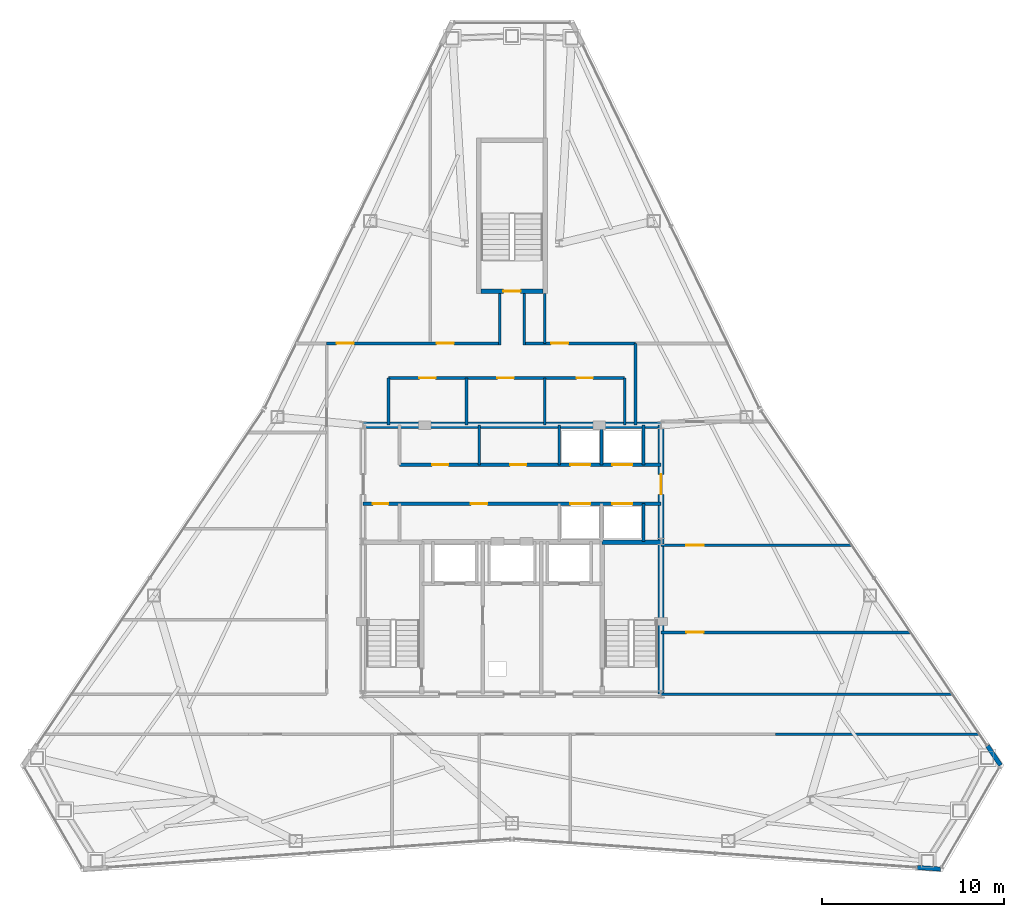
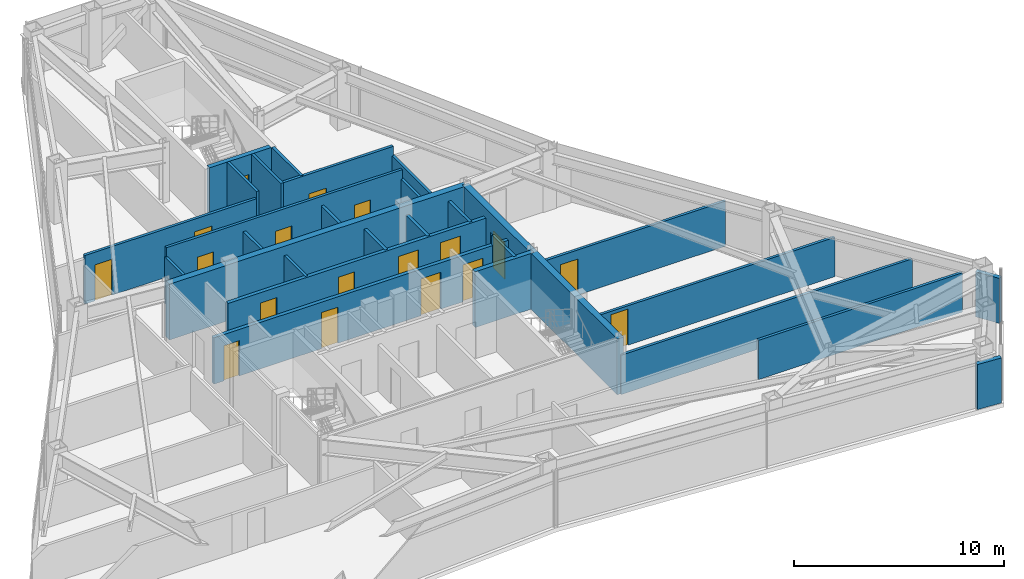
# One storey, part 10 of 12: 28 walls, 18 doors, 18 openings.
"""IFC4 building model written with IfcOpenShell, lengths in metres."""

from ifc_helpers import new_model, si_unit, direction, frame, frame_2d, origin, place, context, subcontext, project, spatial, rectangle, extrude, material, layer, layer_set, type_object, element, fill, save


model = new_model("IFC4")

# Units and contexts
model_context = context("Model", 3, precision=1e-05, world=origin(), true_north=direction((0.0, 1.0)))
body_context = subcontext(model_context, "Body", "Model", "MODEL_VIEW")
ifc_project = project(units=[si_unit("LENGTHUNIT", "METRE"), si_unit("AREAUNIT", "SQUARE_METRE"), si_unit("VOLUMEUNIT", "CUBIC_METRE"), si_unit("PLANEANGLEUNIT", "RADIAN"), si_unit("MASSUNIT", "GRAM", prefix="KILO")], contexts=[model_context])

# Site, building, storey
site_placement = place(None, origin())
site = spatial("IfcSite", under=ifc_project, at=site_placement, CompositionType="ELEMENT")
building_placement = place(site_placement, origin())
building = spatial("IfcBuilding", under=site, at=building_placement, Name="Varakhsha Concourse Tower", CompositionType="ELEMENT")
storey_placement = place(building_placement, frame((0.0, 0.0, 208.39990234375)))
storey = spatial("IfcBuildingStorey", under=building, at=storey_placement, Name="L59", CompositionType="ELEMENT", Elevation=208.39990234375)

# Wall
ifc_material_1 = material(Name="Concrete fc 65 MPa", Category="concrete")
ifc_layer_1 = layer(ifc_material_1, 0.35009765625, Name="WL-CORE-350")
ifc_layer_set_1 = layer_set([ifc_layer_1], Name="Concrete fc 65 MPa")
wall_type_1 = type_object("IfcWallType", Name="WL-CORE-350", PredefinedType="SHEAR", material=ifc_layer_set_1)
wall_1_placement = place(storey_placement, frame((31.800048828125, 31.199951171875, 0.0), z_axis=(0.0, 0.0, 1.0), x_axis=(1.0, 0.0, 0.0)))
element("IfcWall", 1, at=wall_1_placement, inside=storey, type_object=wall_type_1, Name="L59 Wall CWALL-N-L59", PredefinedType="SHEAR", context=body_context, shape_type="SweptSolid", body=[
    extrude(rectangle(XDim=16.39990234375, YDim=0.35009765625, at=frame_2d((8.199951171875, 0.0))), origin(), (0.0, 0.0, 1.0), 3.25),
])

# Wall, opening, door
wall_2_placement = place(storey_placement, frame((48.199951171875, 16.39990234375, 0.0), z_axis=(0.0, 0.0, 1.0), x_axis=(0.0, 1.0, 0.0)))
wall_2 = element("IfcWall", 2, at=wall_2_placement, inside=storey, type_object=wall_type_1, Name="L59 Wall CWALL-E-L59", PredefinedType="SHEAR", context=body_context, shape_type="SweptSolid", body=[
    extrude(rectangle(XDim=14.800048828125, YDim=0.35009765625, at=frame_2d((7.39990234375, 0.0))), origin(), (0.0, 0.0, 1.0), 3.25),
])
opening_1_placement = place(wall_2_placement, frame((11.0, 0.0, 0.0)))
opening_1 = element("IfcOpeningElement", 3, at=opening_1_placement, cuts=wall_2, Name="Opening DL-01", PredefinedType="OPENING", context=body_context, shape_type="SweptSolid", body=[
    extrude(rectangle(XDim=1.10009765625, YDim=2.14990234375, at=frame_2d((0.550048828125, 1.074951171875))), frame((0.0, 0.18505859375, 0.0), z_axis=(0.0, -1.0, 0.0), x_axis=(1.0, 0.0, 0.0)), (0.0, 0.0, 1.0), 0.3701171875),
])
ifc_material_2 = material(Name="Anodised Bronze Architectural Aluminium AA 6063-T6", Category="aluminium")
door_type_1 = type_object("IfcDoorType", Name="DR-LOB-1100", OperationType="NOTDEFINED", PredefinedType="DOOR", material=ifc_material_2)
door_1_placement = place(opening_1_placement, origin())
door_1 = element("IfcDoor", 4, at=door_1_placement, inside=storey, type_object=door_type_1, Name="L59 Lift Lobby East Concourse Door", OperationType="SINGLE_SWING_RIGHT", OverallHeight=2.14990234375, OverallWidth=1.10009765625, PredefinedType="DOOR", context=body_context, shape_type="SweptSolid", body=[
    extrude(rectangle(XDim=1.10009765625, YDim=2.14990234375, at=frame_2d((0.550048828125, 1.074951171875))), frame((0.0, 0.02490234375, 0.0), z_axis=(0.0, -1.0, 0.0), x_axis=(1.0, 0.0, 0.0)), (0.0, 0.0, 1.0), 0.050048828125),
])
fill(opening_1, door_1)

# Walls
ifc_material_3 = material(Name="Concrete fc 45 MPa", Category="concrete")
ifc_layer_2 = layer(ifc_material_3, 0.239990234375, Name="WL-EXT-CRN-240")
ifc_layer_set_2 = layer_set([ifc_layer_2], Name="Concrete fc 45 MPa")
wall_type_2 = type_object("IfcWallType", Name="WL-EXT-CRN-240", PredefinedType="SHEAR", material=ifc_layer_set_2)
wall_3_placement = place(storey_placement, frame((62.2998046875, 6.864501953125, 0.0), z_axis=(0.0, 0.0, 1.0), x_axis=(0.997482703795, -0.070910194111, 0.0)))
element("IfcWall", 5, at=wall_3_placement, inside=storey, type_object=wall_type_2, Name="L59 Wind-Corner Shoulder Wall F6", PredefinedType="SHEAR", context=body_context, shape_type="SweptSolid", body=[
    extrude(rectangle(XDim=1.28759765625, YDim=0.239990234375, at=frame_2d((0.643798828125, 0.0))), origin(), (0.0, 0.0, 1.0), 2.623046875),
])
wall_4_placement = place(storey_placement, frame((66.884033203125, 12.489013671875, 0.0), z_axis=(0.0, 0.0, 1.0), x_axis=(-0.559984079849, 0.828503367715, 0.0)))
element("IfcWall", 6, at=wall_4_placement, inside=storey, type_object=wall_type_2, Name="L59 Wind-Corner Shoulder Wall F8", PredefinedType="SHEAR", context=body_context, shape_type="SweptSolid", body=[
    extrude(rectangle(XDim=1.287353515625, YDim=0.239990234375, at=frame_2d((0.6435546875, 0.0))), origin(), (0.0, 0.0, 1.0), 2.623046875),
])
ifc_material_4 = material(Name="Fire-Rated Type X Gypsum Partition Assembly", Category="gypsum")
ifc_layer_3 = layer(ifc_material_4, 0.14990234375, Name="WL-PART-150")
ifc_layer_set_3 = layer_set([ifc_layer_3], Name="Fire-Rated Type X Gypsum Partition Assembly")
wall_type_3 = type_object("IfcWallType", Name="WL-PART-150", PredefinedType="PARTITIONING", material=ifc_layer_set_3)
wall_5_placement = place(storey_placement, frame((38.199951171875, 29.02001953125, 0.0), z_axis=(0.0, 0.0, 1.0), x_axis=(0.0, 1.0, 0.0)))
element("IfcWall", 7, at=wall_5_placement, inside=storey, type_object=wall_type_3, Name="L59 Wall P1F-D1-L59", PredefinedType="PARTITIONING", context=body_context, shape_type="SweptSolid", body=[
    extrude(rectangle(XDim=2.179931640625, YDim=0.14990234375, at=frame_2d((1.08984375, 0.0))), origin(), (0.0, 0.0, 1.0), 2.705078125),
])

# Wall, openings, doors
wall_6_placement = place(storey_placement, frame((33.199951171875, 33.800048828125, 0.0), z_axis=(0.0, 0.0, 1.0), x_axis=(1.0, 0.0, 0.0)))
wall_6 = element("IfcWall", 8, at=wall_6_placement, inside=storey, type_object=wall_type_3, Name="L59 Wall NBOH-N-L59", PredefinedType="PARTITIONING", context=body_context, shape_type="SweptSolid", body=[
    extrude(rectangle(XDim=13.0, YDim=0.14990234375, at=frame_2d((6.5, 0.0))), origin(), (0.0, 0.0, 1.0), 3.25),
])
opening_2_placement = place(wall_6_placement, frame((1.699951171875, 0.0, 0.0)))
opening_2 = element("IfcOpeningElement", 9, at=opening_2_placement, cuts=wall_6, Name="Opening DF-06", PredefinedType="OPENING", context=body_context, shape_type="SweptSolid", body=[
    extrude(rectangle(XDim=0.89990234375, YDim=2.10009765625, at=frame_2d((0.449951171875, 1.050048828125))), frame((0.0, 0.0849609375, 0.0), z_axis=(0.0, -1.0, 0.0), x_axis=(1.0, 0.0, 0.0)), (0.0, 0.0, 1.0), 0.169921875),
])
opening_3_placement = place(wall_6_placement, frame((6.0, 0.0, 0.0)))
opening_3 = element("IfcOpeningElement", 10, at=opening_3_placement, cuts=wall_6, Name="Opening DF-06", PredefinedType="OPENING", context=body_context, shape_type="SweptSolid", body=[
    extrude(rectangle(XDim=0.89990234375, YDim=2.10009765625, at=frame_2d((0.449951171875, 1.050048828125))), frame((0.0, 0.0849609375, 0.0), z_axis=(0.0, -1.0, 0.0), x_axis=(1.0, 0.0, 0.0)), (0.0, 0.0, 1.0), 0.169921875),
])
opening_4_placement = place(wall_6_placement, frame((10.35009765625, 0.0, 0.0)))
opening_4 = element("IfcOpeningElement", 11, at=opening_4_placement, cuts=wall_6, Name="Opening DF-06", PredefinedType="OPENING", context=body_context, shape_type="SweptSolid", body=[
    extrude(rectangle(XDim=0.89990234375, YDim=2.10009765625, at=frame_2d((0.449951171875, 1.050048828125))), frame((0.0, 0.0849609375, 0.0), z_axis=(0.0, -1.0, 0.0), x_axis=(1.0, 0.0, 0.0)), (0.0, 0.0, 1.0), 0.169921875),
])
ifc_material_5 = material(Name="Hollow Galvanised Steel Fire Door Assembly", Category="steel")
door_type_2 = type_object("IfcDoorType", Name="DR-FD60-900", OperationType="NOTDEFINED", PredefinedType="DOOR", material=ifc_material_5)
door_2_placement = place(opening_2_placement, origin())
door_2 = element("IfcDoor", 12, at=door_2_placement, inside=storey, type_object=door_type_2, Name="L59 Men Restroom WC Door", OperationType="SINGLE_SWING_LEFT", OverallHeight=2.10009765625, OverallWidth=0.89990234375, PredefinedType="DOOR", context=body_context, shape_type="SweptSolid", body=[
    extrude(rectangle(XDim=0.89990234375, YDim=2.10009765625, at=frame_2d((0.449951171875, 1.050048828125))), frame((0.0, 0.02490234375, 0.0), z_axis=(0.0, -1.0, 0.0), x_axis=(1.0, 0.0, 0.0)), (0.0, 0.0, 1.0), 0.050048828125),
])
fill(opening_2, door_2)
door_3_placement = place(opening_3_placement, origin())
door_3 = element("IfcDoor", 13, at=door_3_placement, inside=storey, type_object=door_type_2, Name="L59 Women Restroom WC Door", OperationType="SINGLE_SWING_RIGHT", OverallHeight=2.10009765625, OverallWidth=0.89990234375, PredefinedType="DOOR", context=body_context, shape_type="SweptSolid", body=[
    extrude(rectangle(XDim=0.89990234375, YDim=2.10009765625, at=frame_2d((0.449951171875, 1.050048828125))), frame((0.0, 0.02490234375, 0.0), z_axis=(0.0, -1.0, 0.0), x_axis=(1.0, 0.0, 0.0)), (0.0, 0.0, 1.0), 0.050048828125),
])
fill(opening_3, door_3)
door_4_placement = place(opening_4_placement, origin())
door_4 = element("IfcDoor", 14, at=door_4_placement, inside=storey, type_object=door_type_2, Name="L59 Accessible WC Door", OperationType="SINGLE_SWING_LEFT", OverallHeight=2.10009765625, OverallWidth=0.89990234375, PredefinedType="DOOR", context=body_context, shape_type="SweptSolid", body=[
    extrude(rectangle(XDim=0.89990234375, YDim=2.10009765625, at=frame_2d((0.449951171875, 1.050048828125))), frame((0.0, 0.02490234375, 0.0), z_axis=(0.0, -1.0, 0.0), x_axis=(1.0, 0.0, 0.0)), (0.0, 0.0, 1.0), 0.050048828125),
])
fill(opening_4, door_4)

# Walls
for number, where, z_axis, x_axis, name in (
    (15, (33.199951171875, 31.199951171875, 0.0), (0.0, 0.0, 1.0), (0.0, 1.0, 0.0), "L59 Wall NBOH-W-L59"),
    (16, (46.199951171875, 31.199951171875, 0.0), (0.0, 0.0, 1.0), (0.0, 1.0, 0.0), "L59 Wall NBOH-E-L59"),
    (17, (37.5, 31.199951171875, 0.0), (0.0, 0.0, 1.0), (0.0, 1.0, 0.0), "L59 Wall NBOH-D1-L59"),
    (18, (41.800048828125, 31.199951171875, 0.0), (0.0, 0.0, 1.0), (0.0, 1.0, 0.0), "L59 Wall NBOH-D2-L59"),
):
    element("IfcWall", number, at=place(storey_placement, frame(where, z_axis=z_axis, x_axis=x_axis)), inside=storey, type_object=wall_type_3, Name=name, PredefinedType="PARTITIONING", context=body_context, shape_type="SweptSolid", body=[
        extrude(rectangle(XDim=2.60009765625, YDim=0.14990234375, at=frame_2d((1.300048828125, 0.0))), origin(), (0.0, 0.0, 1.0), 2.705078125),
    ])
wall_7_placement = place(storey_placement, frame((54.5, 14.199951171875, 0.0), z_axis=(0.0, 0.0, 1.0), x_axis=(1.0, 0.0, 0.0)))
element("IfcWall", 19, at=wall_7_placement, inside=storey, type_object=wall_type_3, Name="L59 Wall CRW-SGAL-SE-L59", PredefinedType="PARTITIONING", context=body_context, shape_type="SweptSolid", body=[
    extrude(rectangle(XDim=11.221435546875, YDim=0.14990234375, at=frame_2d((5.61083984375, 0.0))), origin(), (0.0, 0.0, 1.0), 2.2919921875),
])
wall_8_placement = place(storey_placement, frame((48.199951171875, 16.39990234375, 0.0), z_axis=(0.0, 0.0, 1.0), x_axis=(1.0, 0.0, 0.0)))
element("IfcWall", 20, at=wall_8_placement, inside=storey, type_object=wall_type_3, Name="L59 Wall CRW-SGAL-NE-L59", PredefinedType="PARTITIONING", context=body_context, shape_type="SweptSolid", body=[
    extrude(rectangle(XDim=16.034423828125, YDim=0.14990234375, at=frame_2d((8.01708984375, 0.0))), origin(), (0.0, 0.0, 1.0), 2.2919921875),
])

# Wall, openings, doors
wall_9_placement = place(storey_placement, frame((29.800048828125, 35.699951171875, 0.0), z_axis=(0.0, 0.0, 1.0), x_axis=(1.0, 0.0, 0.0)))
wall_9 = element("IfcWall", 21, at=wall_9_placement, inside=storey, type_object=wall_type_3, Name="L59 Wall CRW-N-L59", PredefinedType="PARTITIONING", context=body_context, shape_type="SweptSolid", body=[
    extrude(rectangle(XDim=9.449951171875, YDim=0.14990234375, at=frame_2d((4.72509765625, 0.0))), origin(), (0.0, 0.0, 1.0), 2.8330078125),
])
opening_5_placement = place(wall_9_placement, frame((0.550048828125, 0.0, 0.0)))
opening_5 = element("IfcOpeningElement", 22, at=opening_5_placement, cuts=wall_9, Name="Opening DF-05", PredefinedType="OPENING", context=body_context, shape_type="SweptSolid", body=[
    extrude(rectangle(XDim=0.949951171875, YDim=2.10009765625, at=frame_2d((0.47509765625, 1.050048828125))), frame((0.0, 0.0849609375, 0.0), z_axis=(0.0, -1.0, 0.0), x_axis=(1.0, 0.0, 0.0)), (0.0, 0.0, 1.0), 0.169921875),
])
opening_6_placement = place(wall_9_placement, frame((6.050048828125, 0.0, 0.0)))
opening_6 = element("IfcOpeningElement", 23, at=opening_6_placement, cuts=wall_9, Name="Opening DF-05", PredefinedType="OPENING", context=body_context, shape_type="SweptSolid", body=[
    extrude(rectangle(XDim=0.949951171875, YDim=2.10009765625, at=frame_2d((0.47509765625, 1.050048828125))), frame((0.0, 0.0849609375, 0.0), z_axis=(0.0, -1.0, 0.0), x_axis=(1.0, 0.0, 0.0)), (0.0, 0.0, 1.0), 0.169921875),
])
door_type_3 = type_object("IfcDoorType", Name="DR-FD60-950", OperationType="NOTDEFINED", PredefinedType="DOOR", material=ifc_material_5)
door_5_placement = place(opening_5_placement, origin())
door_5 = element("IfcDoor", 24, at=door_5_placement, inside=storey, type_object=door_type_3, Name="L59 Mountain View Grand Corner Boardroom L59-N1 Door", OperationType="SINGLE_SWING_LEFT", OverallHeight=2.10009765625, OverallWidth=0.949951171875, PredefinedType="DOOR", context=body_context, shape_type="SweptSolid", body=[
    extrude(rectangle(XDim=0.949951171875, YDim=2.10009765625, at=frame_2d((0.47509765625, 1.050048828125))), frame((0.0, 0.02490234375, 0.0), z_axis=(0.0, -1.0, 0.0), x_axis=(1.0, 0.0, 0.0)), (0.0, 0.0, 1.0), 0.050048828125),
])
fill(opening_5, door_5)
door_6_placement = place(opening_6_placement, origin())
door_6 = element("IfcDoor", 25, at=door_6_placement, inside=storey, type_object=door_type_3, Name="L59 North Executive Director Suite L59-N2 Door", OperationType="SINGLE_SWING_RIGHT", OverallHeight=2.10009765625, OverallWidth=0.949951171875, PredefinedType="DOOR", context=body_context, shape_type="SweptSolid", body=[
    extrude(rectangle(XDim=0.949951171875, YDim=2.10009765625, at=frame_2d((0.47509765625, 1.050048828125))), frame((0.0, 0.02490234375, 0.0), z_axis=(0.0, -1.0, 0.0), x_axis=(1.0, 0.0, 0.0)), (0.0, 0.0, 1.0), 0.050048828125),
])
fill(opening_6, door_6)

# Wall, opening, door
wall_10_placement = place(storey_placement, frame((40.75, 35.699951171875, 0.0), z_axis=(0.0, 0.0, 1.0), x_axis=(1.0, 0.0, 0.0)))
wall_10 = element("IfcWall", 26, at=wall_10_placement, inside=storey, type_object=wall_type_3, Name="L59 Wall CRW-N-L59-B", PredefinedType="PARTITIONING", context=body_context, shape_type="SweptSolid", body=[
    extrude(rectangle(XDim=6.050048828125, YDim=0.14990234375, at=frame_2d((3.02490234375, 0.0))), origin(), (0.0, 0.0, 1.0), 3.25),
])
opening_7_placement = place(wall_10_placement, frame((1.39990234375, 0.0, 0.0)))
opening_7 = element("IfcOpeningElement", 27, at=opening_7_placement, cuts=wall_10, Name="Opening DF-05", PredefinedType="OPENING", context=body_context, shape_type="SweptSolid", body=[
    extrude(rectangle(XDim=0.949951171875, YDim=2.10009765625, at=frame_2d((0.47509765625, 1.050048828125))), frame((0.0, 0.0849609375, 0.0), z_axis=(0.0, -1.0, 0.0), x_axis=(1.0, 0.0, 0.0)), (0.0, 0.0, 1.0), 0.169921875),
])
door_7_placement = place(opening_7_placement, origin())
door_7 = element("IfcDoor", 28, at=door_7_placement, inside=storey, type_object=door_type_3, Name="L59 North Executive Director Suite L59-N3 Door", OperationType="SINGLE_SWING_LEFT", OverallHeight=2.10009765625, OverallWidth=0.949951171875, PredefinedType="DOOR", context=body_context, shape_type="SweptSolid", body=[
    extrude(rectangle(XDim=0.949951171875, YDim=2.10009765625, at=frame_2d((0.47509765625, 1.050048828125))), frame((0.0, 0.02490234375, 0.0), z_axis=(0.0, -1.0, 0.0), x_axis=(1.0, 0.0, 0.0)), (0.0, 0.0, 1.0), 0.050048828125),
])
fill(opening_7, door_7)

# Wall
wall_11_placement = place(storey_placement, frame((46.800048828125, 31.199951171875, 0.0), z_axis=(0.0, 0.0, 1.0), x_axis=(0.0, 1.0, 0.0)))
element("IfcWall", 29, at=wall_11_placement, inside=storey, type_object=wall_type_3, Name="L59 Wall CRW-NE-L59", PredefinedType="PARTITIONING", context=body_context, shape_type="SweptSolid", body=[
    extrude(rectangle(XDim=4.5, YDim=0.14990234375, at=frame_2d((2.25, 0.0))), origin(), (0.0, 0.0, 1.0), 2.705078125),
])

# Wall, opening, door
wall_12_placement = place(storey_placement, frame((48.199951171875, 19.800048828125, 0.0), z_axis=(0.0, 0.0, 1.0), x_axis=(1.0, 0.0, 0.0)))
wall_12 = element("IfcWall", 30, at=wall_12_placement, inside=storey, type_object=wall_type_3, Name="L59 Wall ODIV-E1-L59", PredefinedType="PARTITIONING", context=body_context, shape_type="SweptSolid", body=[
    extrude(rectangle(XDim=13.736328125, YDim=0.14990234375, at=frame_2d((6.8681640625, 0.0))), origin(), (0.0, 0.0, 1.0), 2.2919921875),
])
opening_8_placement = place(wall_12_placement, frame((1.39990234375, 0.0, 0.0)))
opening_8 = element("IfcOpeningElement", 31, at=opening_8_placement, cuts=wall_12, Name="Opening DF-05", PredefinedType="OPENING", context=body_context, shape_type="SweptSolid", body=[
    extrude(rectangle(XDim=0.949951171875, YDim=2.10009765625, at=frame_2d((0.47509765625, 1.050048828125))), frame((0.0, 0.0849609375, 0.0), z_axis=(0.0, -1.0, 0.0), x_axis=(1.0, 0.0, 0.0)), (0.0, 0.0, 1.0), 0.169921875),
])
door_8_placement = place(opening_8_placement, origin())
door_8 = element("IfcDoor", 32, at=door_8_placement, inside=storey, type_object=door_type_3, Name="L59 East Suite Interconnect Door 1", OperationType="SINGLE_SWING_LEFT", OverallHeight=2.10009765625, OverallWidth=0.949951171875, PredefinedType="DOOR", context=body_context, shape_type="SweptSolid", body=[
    extrude(rectangle(XDim=0.949951171875, YDim=2.10009765625, at=frame_2d((0.47509765625, 1.050048828125))), frame((0.0, 0.02490234375, 0.0), z_axis=(0.0, -1.0, 0.0), x_axis=(1.0, 0.0, 0.0)), (0.0, 0.0, 1.0), 0.050048828125),
])
fill(opening_8, door_8)

wall_13_placement = place(storey_placement, frame((48.199951171875, 24.60009765625, 0.0), z_axis=(0.0, 0.0, 1.0), x_axis=(1.0, 0.0, 0.0)))
wall_13 = element("IfcWall", 33, at=wall_13_placement, inside=storey, type_object=wall_type_3, Name="L59 Wall ODIV-E2-L59", PredefinedType="PARTITIONING", context=body_context, shape_type="SweptSolid", body=[
    extrude(rectangle(XDim=10.491943359375, YDim=0.14990234375, at=frame_2d((5.24609375, 0.0))), origin(), (0.0, 0.0, 1.0), 2.628173828125),
])
opening_9_placement = place(wall_13_placement, frame((1.39990234375, 0.0, 0.0)))
opening_9 = element("IfcOpeningElement", 34, at=opening_9_placement, cuts=wall_13, Name="Opening DF-05", PredefinedType="OPENING", context=body_context, shape_type="SweptSolid", body=[
    extrude(rectangle(XDim=0.949951171875, YDim=2.10009765625, at=frame_2d((0.47509765625, 1.050048828125))), frame((0.0, 0.0849609375, 0.0), z_axis=(0.0, -1.0, 0.0), x_axis=(1.0, 0.0, 0.0)), (0.0, 0.0, 1.0), 0.169921875),
])
door_9_placement = place(opening_9_placement, origin())
door_9 = element("IfcDoor", 35, at=door_9_placement, inside=storey, type_object=door_type_3, Name="L59 East Suite Interconnect Door 2", OperationType="SINGLE_SWING_RIGHT", OverallHeight=2.10009765625, OverallWidth=0.949951171875, PredefinedType="DOOR", context=body_context, shape_type="SweptSolid", body=[
    extrude(rectangle(XDim=0.949951171875, YDim=2.10009765625, at=frame_2d((0.47509765625, 1.050048828125))), frame((0.0, 0.02490234375, 0.0), z_axis=(0.0, -1.0, 0.0), x_axis=(1.0, 0.0, 0.0)), (0.0, 0.0, 1.0), 0.050048828125),
])
fill(opening_9, door_9)

# Walls
wall_14_placement = place(storey_placement, frame((41.800048828125, 35.699951171875, 0.0), z_axis=(0.0, 0.0, 1.0), x_axis=(0.0, 1.0, 0.0)))
element("IfcWall", 36, at=wall_14_placement, inside=storey, type_object=wall_type_3, Name="L59 Wall ODIV-N2-L59", PredefinedType="PARTITIONING", context=body_context, shape_type="SweptSolid", body=[
    extrude(rectangle(XDim=2.75, YDim=0.14990234375, at=frame_2d((1.375, 0.0))), origin(), (0.0, 0.0, 1.0), 3.25),
])
for number, where, z_axis, x_axis, name in (
    (37, (39.324951171875, 35.625, 0.0), (0.0, 0.0, 1.0), (0.0, 1.0, 0.0), "L59 Wall STUB-W-L59"),
    (38, (40.675048828125, 35.625, 0.0), (0.0, 0.0, 1.0), (0.0, 1.0, 0.0), "L59 Wall STUB-E-L59"),
):
    element("IfcWall", number, at=place(storey_placement, frame(where, z_axis=z_axis, x_axis=x_axis)), inside=storey, type_object=wall_type_3, Name=name, PredefinedType="PARTITIONING", context=body_context, shape_type="SweptSolid", body=[
        extrude(rectangle(XDim=2.824951171875, YDim=0.14990234375, at=frame_2d((1.41259765625, 0.0))), origin(), (0.0, 0.0, 1.0), 3.25),
    ])

# Wall, openings, doors
ifc_layer_4 = layer(ifc_material_4, 0.199951171875, Name="WL-SHAFT-220")
ifc_layer_set_4 = layer_set([ifc_layer_4], Name="Fire-Rated Type X Gypsum Partition Assembly")
wall_type_4 = type_object("IfcWallType", Name="WL-SHAFT-220", PredefinedType="SOLIDWALL", material=ifc_layer_set_4)
wall_15_placement = place(storey_placement, frame((33.820068359375, 29.02001953125, 0.0), z_axis=(0.0, 0.0, 1.0), x_axis=(1.0, 0.0, 0.0)))
wall_15 = element("IfcWall", 39, at=wall_15_placement, inside=storey, type_object=wall_type_4, Name="L59 Wall PLW-N-L59", PredefinedType="SOLIDWALL", context=body_context, shape_type="SweptSolid", body=[
    extrude(rectangle(XDim=14.3798828125, YDim=0.199951171875, at=frame_2d((7.18994140625, 0.0))), origin(), (0.0, 0.0, 1.0), 2.705078125),
])
opening_10_placement = place(wall_15_placement, frame((1.780029296875, 0.0, 0.0)))
opening_10 = element("IfcOpeningElement", 40, at=opening_10_placement, cuts=wall_15, Name="Opening DF-06", PredefinedType="OPENING", context=body_context, shape_type="SweptSolid", body=[
    extrude(rectangle(XDim=0.89990234375, YDim=2.10009765625, at=frame_2d((0.449951171875, 1.050048828125))), frame((0.0, 0.10986328125, 0.0), z_axis=(0.0, -1.0, 0.0), x_axis=(1.0, 0.0, 0.0)), (0.0, 0.0, 1.0), 0.219970703125),
])
opening_11_placement = place(wall_15_placement, frame((6.070068359375, 0.0, 0.0)))
opening_11 = element("IfcOpeningElement", 41, at=opening_11_placement, cuts=wall_15, Name="Opening DF-06", PredefinedType="OPENING", context=body_context, shape_type="SweptSolid", body=[
    extrude(rectangle(XDim=0.89990234375, YDim=2.10009765625, at=frame_2d((0.449951171875, 1.050048828125))), frame((0.0, 0.10986328125, 0.0), z_axis=(0.0, -1.0, 0.0), x_axis=(1.0, 0.0, 0.0)), (0.0, 0.0, 1.0), 0.219970703125),
])
opening_12_placement = place(wall_15_placement, frame((9.389892578125, 0.0, 0.0)))
opening_12 = element("IfcOpeningElement", 42, at=opening_12_placement, cuts=wall_15, Name="Opening LD-LF-P09", PredefinedType="OPENING", context=body_context, shape_type="SweptSolid", body=[
    extrude(rectangle(XDim=1.10009765625, YDim=2.14990234375, at=frame_2d((0.550048828125, 1.074951171875))), frame((0.0, 0.10986328125, 0.0), z_axis=(0.0, -1.0, 0.0), x_axis=(1.0, 0.0, 0.0)), (0.0, 0.0, 1.0), 0.219970703125),
])
opening_13_placement = place(wall_15_placement, frame((11.7099609375, 0.0, 0.0)))
opening_13 = element("IfcOpeningElement", 43, at=opening_13_placement, cuts=wall_15, Name="Opening LD-LF-P10", PredefinedType="OPENING", context=body_context, shape_type="SweptSolid", body=[
    extrude(rectangle(XDim=1.10009765625, YDim=2.14990234375, at=frame_2d((0.550048828125, 1.074951171875))), frame((0.0, 0.10986328125, 0.0), z_axis=(0.0, -1.0, 0.0), x_axis=(1.0, 0.0, 0.0)), (0.0, 0.0, 1.0), 0.219970703125),
])
door_10_placement = place(opening_10_placement, origin())
door_10 = element("IfcDoor", 44, at=door_10_placement, inside=storey, type_object=door_type_2, Name="L59 Tenant Archive and IT Server Room Door", OperationType="SINGLE_SWING_LEFT", OverallHeight=2.10009765625, OverallWidth=0.89990234375, PredefinedType="DOOR", context=body_context, shape_type="SweptSolid", body=[
    extrude(rectangle(XDim=0.89990234375, YDim=2.10009765625, at=frame_2d((0.449951171875, 1.050048828125))), frame((0.0, 0.02490234375, 0.0), z_axis=(0.0, -1.0, 0.0), x_axis=(1.0, 0.0, 0.0)), (0.0, 0.0, 1.0), 0.050048828125),
])
fill(opening_10, door_10)
door_11_placement = place(opening_11_placement, origin())
door_11 = element("IfcDoor", 45, at=door_11_placement, inside=storey, type_object=door_type_2, Name="L59 Core Facility Closet N1 Door", OperationType="SINGLE_SWING_RIGHT", OverallHeight=2.10009765625, OverallWidth=0.89990234375, PredefinedType="DOOR", context=body_context, shape_type="SweptSolid", body=[
    extrude(rectangle(XDim=0.89990234375, YDim=2.10009765625, at=frame_2d((0.449951171875, 1.050048828125))), frame((0.0, 0.02490234375, 0.0), z_axis=(0.0, -1.0, 0.0), x_axis=(1.0, 0.0, 0.0)), (0.0, 0.0, 1.0), 0.050048828125),
])
fill(opening_11, door_11)
ifc_material_6 = material(Name="Brushed Austenitic Stainless Steel AISI 316", Category="steel")
door_type_4 = type_object("IfcDoorType", Name="DR-LD-1100", OperationType="DOUBLE_DOOR_SLIDING", PredefinedType="DOOR", material=ifc_material_6)
door_12_placement = place(opening_12_placement, origin())
door_12 = element("IfcDoor", 46, at=door_12_placement, inside=storey, type_object=door_type_4, Name="Lift Landing Door LF-P09 L59", OperationType="DOUBLE_DOOR_SLIDING", OverallHeight=2.14990234375, OverallWidth=1.10009765625, PredefinedType="DOOR", context=body_context, shape_type="SweptSolid", body=[
    extrude(rectangle(XDim=1.10009765625, YDim=2.14990234375, at=frame_2d((0.550048828125, 1.074951171875))), frame((0.0, 0.02490234375, 0.0), z_axis=(0.0, -1.0, 0.0), x_axis=(1.0, 0.0, 0.0)), (0.0, 0.0, 1.0), 0.050048828125),
])
fill(opening_12, door_12)
door_13_placement = place(opening_13_placement, origin())
door_13 = element("IfcDoor", 47, at=door_13_placement, inside=storey, type_object=door_type_4, Name="Lift Landing Door LF-P10 L59", OperationType="DOUBLE_DOOR_SLIDING", OverallHeight=2.14990234375, OverallWidth=1.10009765625, PredefinedType="DOOR", context=body_context, shape_type="SweptSolid", body=[
    extrude(rectangle(XDim=1.10009765625, YDim=2.14990234375, at=frame_2d((0.550048828125, 1.074951171875))), frame((0.0, 0.02490234375, 0.0), z_axis=(0.0, -1.0, 0.0), x_axis=(1.0, 0.0, 0.0)), (0.0, 0.0, 1.0), 0.050048828125),
])
fill(opening_13, door_13)

wall_16_placement = place(storey_placement, frame((31.800048828125, 26.8798828125, 0.0), z_axis=(0.0, 0.0, 1.0), x_axis=(1.0, 0.0, 0.0)))
wall_16 = element("IfcWall", 48, at=wall_16_placement, inside=storey, type_object=wall_type_4, Name="L59 Wall PLW-S-L59", PredefinedType="SOLIDWALL", context=body_context, shape_type="SweptSolid", body=[
    extrude(rectangle(XDim=16.39990234375, YDim=0.199951171875, at=frame_2d((8.199951171875, 0.0))), origin(), (0.0, 0.0, 1.0), 2.705078125),
])
opening_14_placement = place(wall_16_placement, frame((0.550048828125, 0.0, 0.0)))
opening_14 = element("IfcOpeningElement", 49, at=opening_14_placement, cuts=wall_16, Name="Opening DF-07", PredefinedType="OPENING", context=body_context, shape_type="SweptSolid", body=[
    extrude(rectangle(XDim=0.85009765625, YDim=2.050048828125, at=frame_2d((0.425048828125, 1.02490234375))), frame((0.0, 0.10986328125, 0.0), z_axis=(0.0, -1.0, 0.0), x_axis=(1.0, 0.0, 0.0)), (0.0, 0.0, 1.0), 0.219970703125),
])
opening_15_placement = place(wall_16_placement, frame((5.93994140625, 0.0, 0.0)))
opening_15 = element("IfcOpeningElement", 50, at=opening_15_placement, cuts=wall_16, Name="Opening DF-06", PredefinedType="OPENING", context=body_context, shape_type="SweptSolid", body=[
    extrude(rectangle(XDim=0.89990234375, YDim=2.10009765625, at=frame_2d((0.449951171875, 1.050048828125))), frame((0.0, 0.10986328125, 0.0), z_axis=(0.0, -1.0, 0.0), x_axis=(1.0, 0.0, 0.0)), (0.0, 0.0, 1.0), 0.219970703125),
])
opening_16_placement = place(wall_16_placement, frame((11.409912109375, 0.0, 0.0)))
opening_16 = element("IfcOpeningElement", 51, at=opening_16_placement, cuts=wall_16, Name="Opening LD-LF-P11", PredefinedType="OPENING", context=body_context, shape_type="SweptSolid", body=[
    extrude(rectangle(XDim=1.10009765625, YDim=2.14990234375, at=frame_2d((0.550048828125, 1.074951171875))), frame((0.0, 0.10986328125, 0.0), z_axis=(0.0, -1.0, 0.0), x_axis=(1.0, 0.0, 0.0)), (0.0, 0.0, 1.0), 0.219970703125),
])
opening_17_placement = place(wall_16_placement, frame((13.72998046875, 0.0, 0.0)))
opening_17 = element("IfcOpeningElement", 52, at=opening_17_placement, cuts=wall_16, Name="Opening LD-LF-P12", PredefinedType="OPENING", context=body_context, shape_type="SweptSolid", body=[
    extrude(rectangle(XDim=1.10009765625, YDim=2.14990234375, at=frame_2d((0.550048828125, 1.074951171875))), frame((0.0, 0.10986328125, 0.0), z_axis=(0.0, -1.0, 0.0), x_axis=(1.0, 0.0, 0.0)), (0.0, 0.0, 1.0), 0.219970703125),
])
door_type_5 = type_object("IfcDoorType", Name="DR-FD60-850", OperationType="NOTDEFINED", PredefinedType="DOOR", material=ifc_material_5)
door_14_placement = place(opening_14_placement, origin())
door_14 = element("IfcDoor", 53, at=door_14_placement, inside=storey, type_object=door_type_5, Name="L59 Core Telecoms Closet Door", OperationType="SINGLE_SWING_RIGHT", OverallHeight=2.050048828125, OverallWidth=0.85009765625, PredefinedType="DOOR", context=body_context, shape_type="SweptSolid", body=[
    extrude(rectangle(XDim=0.85009765625, YDim=2.050048828125, at=frame_2d((0.425048828125, 1.02490234375))), frame((0.0, 0.02490234375, 0.0), z_axis=(0.0, -1.0, 0.0), x_axis=(1.0, 0.0, 0.0)), (0.0, 0.0, 1.0), 0.050048828125),
])
fill(opening_14, door_14)
door_15_placement = place(opening_15_placement, origin())
door_15 = element("IfcDoor", 54, at=door_15_placement, inside=storey, type_object=door_type_2, Name="L59 Executive Pantry and Copy Suite Door", OperationType="SINGLE_SWING_RIGHT", OverallHeight=2.10009765625, OverallWidth=0.89990234375, PredefinedType="DOOR", context=body_context, shape_type="SweptSolid", body=[
    extrude(rectangle(XDim=0.89990234375, YDim=2.10009765625, at=frame_2d((0.449951171875, 1.050048828125))), frame((0.0, 0.02490234375, 0.0), z_axis=(0.0, -1.0, 0.0), x_axis=(1.0, 0.0, 0.0)), (0.0, 0.0, 1.0), 0.050048828125),
])
fill(opening_15, door_15)
door_16_placement = place(opening_16_placement, origin())
door_16 = element("IfcDoor", 55, at=door_16_placement, inside=storey, type_object=door_type_4, Name="Lift Landing Door LF-P11 L59", OperationType="DOUBLE_DOOR_SLIDING", OverallHeight=2.14990234375, OverallWidth=1.10009765625, PredefinedType="DOOR", context=body_context, shape_type="SweptSolid", body=[
    extrude(rectangle(XDim=1.10009765625, YDim=2.14990234375, at=frame_2d((0.550048828125, 1.074951171875))), frame((0.0, 0.02490234375, 0.0), z_axis=(0.0, -1.0, 0.0), x_axis=(1.0, 0.0, 0.0)), (0.0, 0.0, 1.0), 0.050048828125),
])
fill(opening_16, door_16)
door_17_placement = place(opening_17_placement, origin())
door_17 = element("IfcDoor", 56, at=door_17_placement, inside=storey, type_object=door_type_4, Name="Lift Landing Door LF-P12 L59", OperationType="DOUBLE_DOOR_SLIDING", OverallHeight=2.14990234375, OverallWidth=1.10009765625, PredefinedType="DOOR", context=body_context, shape_type="SweptSolid", body=[
    extrude(rectangle(XDim=1.10009765625, YDim=2.14990234375, at=frame_2d((0.550048828125, 1.074951171875))), frame((0.0, 0.02490234375, 0.0), z_axis=(0.0, -1.0, 0.0), x_axis=(1.0, 0.0, 0.0)), (0.0, 0.0, 1.0), 0.050048828125),
])
fill(opening_17, door_17)

# Walls
for number, where, z_axis, x_axis, name in (
    (57, (42.60009765625, 29.02001953125, 0.0), (0.0, 0.0, 1.0), (0.0, 1.0, 0.0), "L59 Wall SHW-LF-P09-W-L59"),
    (58, (44.919921875, 29.02001953125, 0.0), (0.0, 0.0, 1.0), (0.0, 1.0, 0.0), "L59 Wall SHW-LF-P09-E-L59"),
    (59, (47.239990234375, 29.02001953125, 0.0), (0.0, 0.0, 1.0), (0.0, 1.0, 0.0), "L59 Wall SHW-LF-P10-E-L59"),
):
    element("IfcWall", number, at=place(storey_placement, frame(where, z_axis=z_axis, x_axis=x_axis)), inside=storey, type_object=wall_type_4, Name=name, PredefinedType="SOLIDWALL", context=body_context, shape_type="SweptSolid", body=[
        extrude(rectangle(XDim=2.179931640625, YDim=0.159912109375, at=frame_2d((1.08984375, 0.0))), origin(), (0.0, 0.0, 1.0), 2.705078125),
    ])
wall_17_placement = place(storey_placement, frame((47.239990234375, 24.800048828125, 0.0), z_axis=(0.0, 0.0, 1.0), x_axis=(0.0, 1.0, 0.0)))
element("IfcWall", 60, at=wall_17_placement, inside=storey, type_object=wall_type_4, Name="L59 Wall SHW-LF-P12-E-L59", PredefinedType="SOLIDWALL", context=body_context, shape_type="SweptSolid", body=[
    extrude(rectangle(XDim=2.079833984375, YDim=0.159912109375, at=frame_2d((1.0400390625, 0.0))), origin(), (0.0, 0.0, 1.0), 3.25),
])
ifc_layer_5 = layer(ifc_material_3, 0.25, Name="WL-STAIR-250")
ifc_layer_set_5 = layer_set([ifc_layer_5], Name="Concrete fc 45 MPa")
wall_type_5 = type_object("IfcWallType", Name="WL-STAIR-250", PredefinedType="SHEAR", material=ifc_layer_set_5)
wall_18_placement = place(storey_placement, frame((44.955078125, 24.7548828125, 0.0), z_axis=(0.0, 0.0, 1.0), x_axis=(1.0, 0.0, 0.0)))
element("IfcWall", 61, at=wall_18_placement, inside=storey, type_object=wall_type_5, Name="L59 Wall SWALL-ST2-N-L59", PredefinedType="SHEAR", context=body_context, shape_type="SweptSolid", body=[
    extrude(rectangle(XDim=3.244873046875, YDim=0.25, at=frame_2d((1.62255859375, 0.0))), origin(), (0.0, 0.0, 1.0), 3.25),
])

# Wall, opening, door
wall_19_placement = place(storey_placement, frame((38.300048828125, 38.574951171875, 0.0), z_axis=(0.0, 0.0, 1.0), x_axis=(1.0, 0.0, 0.0)))
wall_19 = element("IfcWall", 62, at=wall_19_placement, inside=storey, type_object=wall_type_5, Name="L59 Wall SWALL-ST5-S-L59", PredefinedType="SHEAR", context=body_context, shape_type="SweptSolid", body=[
    extrude(rectangle(XDim=3.39990234375, YDim=0.25, at=frame_2d((1.699951171875, 0.0))), origin(), (0.0, 0.0, 1.0), 3.25),
])
opening_18_placement = place(wall_19_placement, frame((1.22509765625, 0.0, 0.0)))
opening_18 = element("IfcOpeningElement", 63, at=opening_18_placement, cuts=wall_19, Name="Opening DF-03", PredefinedType="OPENING", context=body_context, shape_type="SweptSolid", body=[
    extrude(rectangle(XDim=0.949951171875, YDim=2.10009765625, at=frame_2d((0.47509765625, 1.050048828125))), frame((0.0, 0.135009765625, 0.0), z_axis=(0.0, -1.0, 0.0), x_axis=(1.0, 0.0, 0.0)), (0.0, 0.0, 1.0), 0.27001953125),
])
door_type_6 = type_object("IfcDoorType", Name="DR-FD90-950", OperationType="NOTDEFINED", PredefinedType="DOOR", material=ifc_material_5)
door_18_placement = place(opening_18_placement, origin())
door_18 = element("IfcDoor", 64, at=door_18_placement, inside=storey, type_object=door_type_6, Name="L59 Stair ST5 Fire Door", OperationType="SINGLE_SWING_RIGHT", OverallHeight=2.10009765625, OverallWidth=0.949951171875, PredefinedType="DOOR", context=body_context, shape_type="SweptSolid", body=[
    extrude(rectangle(XDim=0.949951171875, YDim=2.10009765625, at=frame_2d((0.47509765625, 1.050048828125))), frame((0.0, 0.02490234375, 0.0), z_axis=(0.0, -1.0, 0.0), x_axis=(1.0, 0.0, 0.0)), (0.0, 0.0, 1.0), 0.050048828125),
])
fill(opening_18, door_18)

save(model, "model.ifc")
